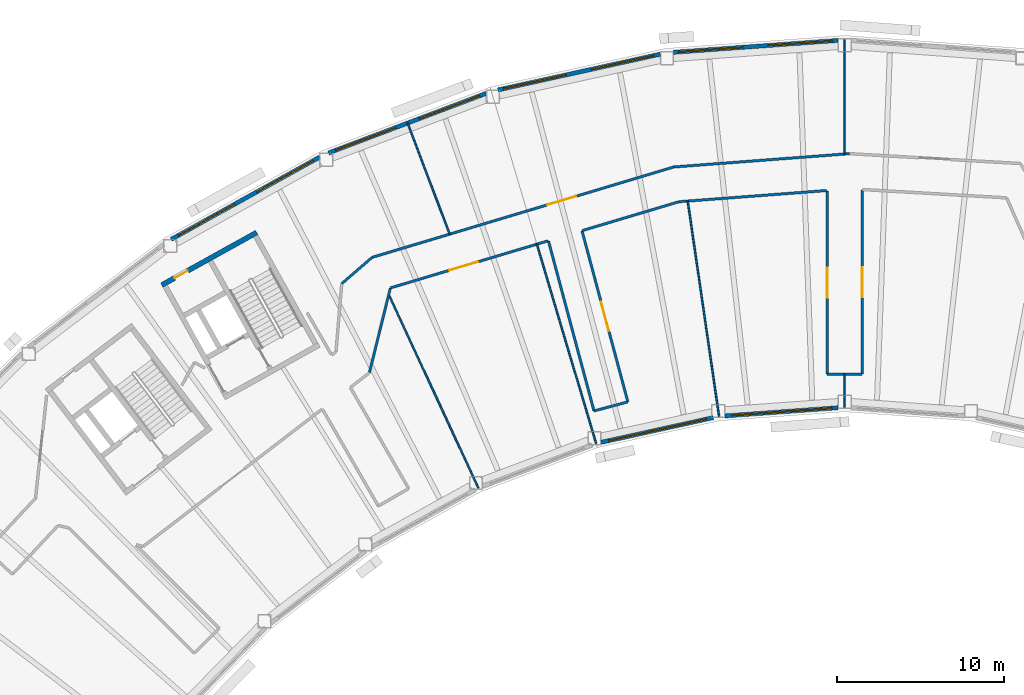
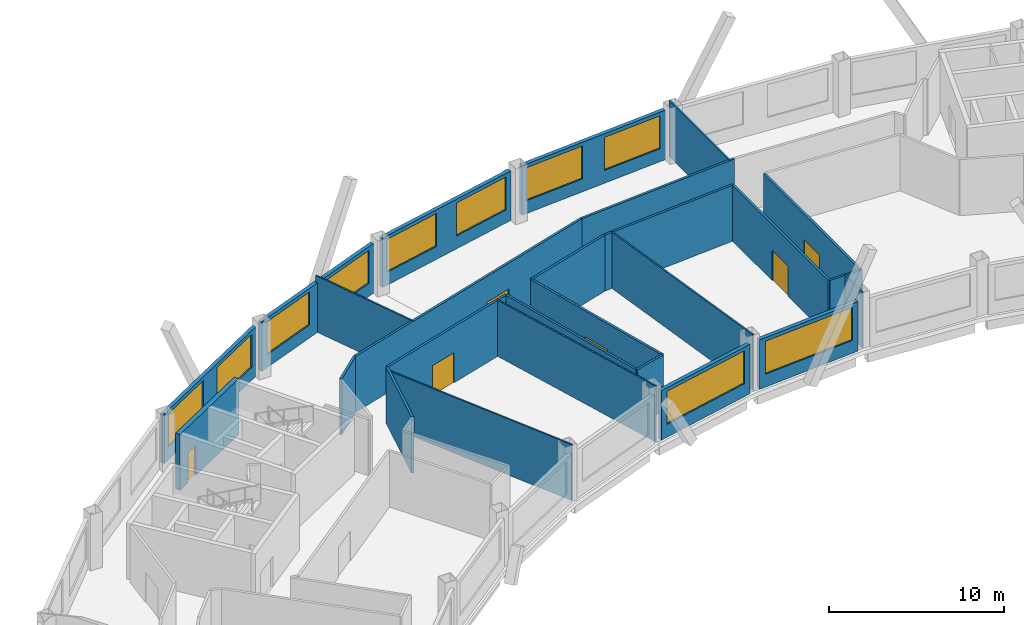
# One storey, part 6 of 13: 26 walls, 10 windows, 6 doors, 16 openings.
"""IFC4 building model written with IfcOpenShell, lengths in metres."""

from ifc_helpers import new_model, si_unit, direction, frame, frame_2d, origin, place, context, subcontext, project, spatial, rectangle, extrude, material, layer, layer_set, type_object, element, fill, save


model = new_model("IFC4")

# Units and contexts
model_context = context("Model", 3, precision=1e-05, world=origin(), true_north=direction((0.0, 1.0)))
body_context = subcontext(model_context, "Body", "Model", "MODEL_VIEW")
ifc_project = project(units=[si_unit("LENGTHUNIT", "METRE"), si_unit("AREAUNIT", "SQUARE_METRE"), si_unit("VOLUMEUNIT", "CUBIC_METRE"), si_unit("PLANEANGLEUNIT", "RADIAN"), si_unit("MASSUNIT", "GRAM", prefix="KILO")], contexts=[model_context])

# Site, building, storey
site_placement = place(None, origin())
site = spatial("IfcSite", under=ifc_project, at=site_placement, CompositionType="ELEMENT")
building_placement = place(site_placement, origin())
building = spatial("IfcBuilding", under=site, at=building_placement, Name="Tuul Gate Civic Tower", CompositionType="ELEMENT")
storey_placement = place(building_placement, frame((0.0, 0.0, 294.199951171875)))
storey = spatial("IfcBuildingStorey", under=building, at=storey_placement, Name="Level 66", CompositionType="ELEMENT", Elevation=294.199951171875)

# Wall, opening, door
ifc_material_1 = material(Name="Concrete C50/60", Category="concrete")
ifc_layer_1 = layer(ifc_material_1, 0.300048828125)
ifc_layer_set_1 = layer_set([ifc_layer_1], Name="Concrete C50/60")
wall_type_1 = type_object("IfcWallType", Name="Core wall C50/60", PredefinedType="SHEAR", material=ifc_layer_set_1)
wall_1_placement = place(storey_placement, frame((-28.4443359375, -1.98095703125, 0.0), z_axis=(0.0, 0.0, 1.0), x_axis=(-0.874629909008, -0.484791215132, 0.0)))
wall_1 = element("IfcWall", 1, at=wall_1_placement, inside=storey, type_object=wall_type_1, Name="Core wall", PredefinedType="SHEAR", context=body_context, shape_type="SweptSolid", body=[
    extrude(rectangle(XDim=6.5, YDim=0.300048828125, at=frame_2d((3.25, 0.0))), origin(), (0.0, 0.0, 1.0), 3.900146484375),
])
opening_1_placement = place(wall_1_placement, frame((4.72509765625, 0.0, 0.0)))
opening_1 = element("IfcOpeningElement", 2, at=opening_1_placement, cuts=wall_1, Name="Opening Y-D17", PredefinedType="OPENING", context=body_context, shape_type="SweptSolid", body=[
    extrude(rectangle(XDim=0.89990234375, YDim=2.10009765625, at=frame_2d((0.449951171875, 1.050048828125))), frame((0.0, 0.16015625, 0.0), z_axis=(0.0, -1.0, 0.0), x_axis=(1.0, 0.0, 0.0)), (0.0, 0.0, 1.0), 0.320068359375),
])
ifc_material_2 = material(Name="Timber door leaf", Category="wood")
door_type_1 = type_object("IfcDoorType", Name="Door D09", OperationType="NOTDEFINED", PredefinedType="DOOR", material=ifc_material_2)
door_1_placement = place(opening_1_placement, origin())
door_1 = element("IfcDoor", 3, at=door_1_placement, inside=storey, type_object=door_type_1, Name="Door Y-D17", OperationType="SINGLE_SWING_LEFT", OverallHeight=2.10009765625, OverallWidth=0.89990234375, PredefinedType="DOOR", context=body_context, shape_type="SweptSolid", body=[
    extrude(rectangle(XDim=0.89990234375, YDim=2.10009765625, at=frame_2d((0.449951171875, 1.050048828125))), frame((0.0, 0.02490234375, 0.0), z_axis=(0.0, -1.0, 0.0), x_axis=(1.0, 0.0, 0.0)), (0.0, 0.0, 1.0), 0.050048828125),
])
fill(opening_1, door_1)

# Wall
ifc_material_3 = material(Name="Gypsum board partition")
ifc_layer_2 = layer(ifc_material_3, 0.14990234375)
ifc_layer_set_2 = layer_set([ifc_layer_2], Name="Gypsum board partition")
wall_type_2 = type_object("IfcWallType", Name="Corridor wall P150", PredefinedType="PARTITIONING", material=ifc_layer_set_2)
wall_2_placement = place(storey_placement, frame((-3.451171875, 1.94580078125, 0.0), z_axis=(0.0, 0.0, 1.0), x_axis=(0.997139491246, 0.075583298406, 0.0)))
element("IfcWall", 4, at=wall_2_placement, inside=storey, type_object=wall_type_2, Name="p021", PredefinedType="PARTITIONING", context=body_context, shape_type="SweptSolid", body=[
    extrude(rectangle(XDim=10.549560546875, YDim=0.14990234375, at=frame_2d((5.27490234375, 0.0))), origin(), (0.0, 0.0, 1.0), 3.900146484375),
])

# Wall, opening, door
wall_3_placement = place(storey_placement, frame((-21.523681640625, -3.4697265625, 0.0), z_axis=(0.0, 0.0, 1.0), x_axis=(0.957914218536, 0.287054611402, 0.0)))
wall_3 = element("IfcWall", 5, at=wall_3_placement, inside=storey, type_object=wall_type_2, Name="p034", PredefinedType="PARTITIONING", context=body_context, shape_type="SweptSolid", body=[
    extrude(rectangle(XDim=18.864990234375, YDim=0.14990234375, at=frame_2d((9.4326171875, 0.0))), origin(), (0.0, 0.0, 1.0), 3.900146484375),
])
opening_2_placement = place(wall_3_placement, frame((10.95654296875, 0.0, 0.0)))
opening_2 = element("IfcOpeningElement", 6, at=opening_2_placement, cuts=wall_3, Name="Opening Y-D05", PredefinedType="OPENING", context=body_context, shape_type="SweptSolid", body=[
    extrude(rectangle(XDim=1.800048828125, YDim=2.10009765625, at=frame_2d((0.89990234375, 1.050048828125))), frame((0.0, 0.0849609375, 0.0), z_axis=(0.0, -1.0, 0.0), x_axis=(1.0, 0.0, 0.0)), (0.0, 0.0, 1.0), 0.169921875),
])
ifc_material_4 = material(Name="Timber door leaf, double", Category="wood")
door_type_2 = type_object("IfcDoorType", Name="Door D18", OperationType="DOUBLE_DOOR_SINGLE_SWING", PredefinedType="DOOR", material=ifc_material_4)
door_2_placement = place(opening_2_placement, origin())
door_2 = element("IfcDoor", 7, at=door_2_placement, inside=storey, type_object=door_type_2, Name="Door Y-D05", OperationType="DOUBLE_DOOR_SINGLE_SWING", OverallHeight=2.10009765625, OverallWidth=1.800048828125, PredefinedType="DOOR", context=body_context, shape_type="SweptSolid", body=[
    extrude(rectangle(XDim=1.800048828125, YDim=2.10009765625, at=frame_2d((0.89990234375, 1.050048828125))), frame((0.0, 0.02490234375, 0.0), z_axis=(0.0, -1.0, 0.0), x_axis=(1.0, 0.0, 0.0)), (0.0, 0.0, 1.0), 0.050048828125),
])
fill(opening_2, door_2)

# Wall
wall_4_placement = place(storey_placement, frame((-23.345947265625, -5.044189453125, 0.0), z_axis=(0.0, 0.0, 1.0), x_axis=(0.756572042285, 0.653910349232, 0.0)))
element("IfcWall", 8, at=wall_4_placement, inside=storey, type_object=wall_type_2, Name="p037", PredefinedType="PARTITIONING", context=body_context, shape_type="SweptSolid", body=[
    extrude(rectangle(XDim=2.40673828125, YDim=0.14990234375, at=frame_2d((1.203369140625, 0.0))), origin(), (0.0, 0.0, 1.0), 3.900146484375),
])

# Wall, opening, door
wall_5_placement = place(storey_placement, frame((7.838134765625, -10.469970703125, 0.0), z_axis=(0.0, 0.0, 1.0), x_axis=(0.0, 1.0, 0.0)))
wall_5 = element("IfcWall", 9, at=wall_5_placement, inside=storey, type_object=wall_type_2, Name="p061", PredefinedType="PARTITIONING", context=body_context, shape_type="SweptSolid", body=[
    extrude(rectangle(XDim=11.043701171875, YDim=0.14990234375, at=frame_2d((5.52197265625, 0.0))), origin(), (0.0, 0.0, 1.0), 3.900146484375),
])
opening_3_placement = place(wall_5_placement, frame((4.621826171875, 0.0, 0.0)))
opening_3 = element("IfcOpeningElement", 10, at=opening_3_placement, cuts=wall_5, Name="Opening Y-D09", PredefinedType="OPENING", context=body_context, shape_type="SweptSolid", body=[
    extrude(rectangle(XDim=1.800048828125, YDim=2.10009765625, at=frame_2d((0.89990234375, 1.050048828125))), frame((0.0, 0.0849609375, 0.0), z_axis=(0.0, -1.0, 0.0), x_axis=(1.0, 0.0, 0.0)), (0.0, 0.0, 1.0), 0.169921875),
])
door_3_placement = place(opening_3_placement, frame((1.800048828125, 0.0, 0.0), z_axis=(0.0, 0.0, 1.0), x_axis=(-1.0, 0.0, 0.0)))
door_3 = element("IfcDoor", 11, at=door_3_placement, inside=storey, type_object=door_type_2, Name="Door Y-D09", OperationType="DOUBLE_DOOR_SINGLE_SWING", OverallHeight=2.10009765625, OverallWidth=1.800048828125, PredefinedType="DOOR", context=body_context, shape_type="SweptSolid", body=[
    extrude(rectangle(XDim=1.800048828125, YDim=2.10009765625, at=frame_2d((0.900146484375, 1.050048828125))), frame((0.0, 0.02490234375, 0.0), z_axis=(0.0, -1.0, 0.0), x_axis=(1.0, 0.0, 0.0)), (0.0, 0.0, 1.0), 0.050048828125),
])
fill(opening_3, door_3)

# Walls
wall_6_placement = place(storey_placement, frame((5.739013671875, -10.469970703125, 0.0), z_axis=(0.0, 0.0, 1.0), x_axis=(1.0, 0.0, 0.0)))
element("IfcWall", 12, at=wall_6_placement, inside=storey, type_object=wall_type_2, Name="p066", PredefinedType="PARTITIONING", context=body_context, shape_type="SweptSolid", body=[
    extrude(rectangle(XDim=2.09912109375, YDim=0.14990234375, at=frame_2d((1.049560546875, 0.0))), origin(), (0.0, 0.0, 1.0), 3.900146484375),
])
wall_7_placement = place(storey_placement, frame((-3.13916015625, -0.136474609375, 0.0), z_axis=(0.0, 0.0, 1.0), x_axis=(0.997140365819, 0.075571759639, 0.0)))
element("IfcWall", 13, at=wall_7_placement, inside=storey, type_object=wall_type_2, Name="p068", PredefinedType="PARTITIONING", context=body_context, shape_type="SweptSolid", body=[
    extrude(rectangle(XDim=8.880859375, YDim=0.14990234375, at=frame_2d((4.4404296875, 0.0))), origin(), (0.0, 0.0, 1.0), 3.900146484375),
])

# Wall, opening, door
wall_8_placement = place(storey_placement, frame((5.73828125, -10.46923828125, 0.0), z_axis=(0.0, 0.0, 1.0), x_axis=(0.0, 1.0, 0.0)))
wall_8 = element("IfcWall", 14, at=wall_8_placement, inside=storey, type_object=wall_type_2, Name="p069", PredefinedType="PARTITIONING", context=body_context, shape_type="SweptSolid", body=[
    extrude(rectangle(XDim=10.983642578125, YDim=0.14990234375, at=frame_2d((5.49169921875, 0.0))), origin(), (0.0, 0.0, 1.0), 3.900146484375),
])
opening_4_placement = place(wall_8_placement, frame((4.591796875, 0.0, 0.0)))
opening_4 = element("IfcOpeningElement", 15, at=opening_4_placement, cuts=wall_8, Name="Opening Y-D10", PredefinedType="OPENING", context=body_context, shape_type="SweptSolid", body=[
    extrude(rectangle(XDim=1.800048828125, YDim=2.10009765625, at=frame_2d((0.89990234375, 1.050048828125))), frame((0.0, 0.0849609375, 0.0), z_axis=(0.0, -1.0, 0.0), x_axis=(1.0, 0.0, 0.0)), (0.0, 0.0, 1.0), 0.169921875),
])
door_4_placement = place(opening_4_placement, origin())
door_4 = element("IfcDoor", 16, at=door_4_placement, inside=storey, type_object=door_type_2, Name="Door Y-D10", OperationType="DOUBLE_DOOR_SINGLE_SWING", OverallHeight=2.10009765625, OverallWidth=1.800048828125, PredefinedType="DOOR", context=body_context, shape_type="SweptSolid", body=[
    extrude(rectangle(XDim=1.800048828125, YDim=2.10009765625, at=frame_2d((0.89990234375, 1.050048828125))), frame((0.0, 0.02490234375, 0.0), z_axis=(0.0, -1.0, 0.0), x_axis=(1.0, 0.0, 0.0)), (0.0, 0.0, 1.0), 0.050048828125),
])
fill(opening_4, door_4)

wall_9_placement = place(storey_placement, frame((-20.421875, -5.299072265625, 0.0), z_axis=(0.0, 0.0, 1.0), x_axis=(0.958157853162, 0.286240333329, 0.0)))
wall_9 = element("IfcWall", 17, at=wall_9_placement, inside=storey, type_object=wall_type_2, Name="p071", PredefinedType="PARTITIONING", context=body_context, shape_type="SweptSolid", body=[
    extrude(rectangle(XDim=9.850341796875, YDim=0.14990234375, at=frame_2d((4.92529296875, 0.0))), origin(), (0.0, 0.0, 1.0), 3.900146484375),
])
opening_5_placement = place(wall_9_placement, frame((3.673828125, 0.0, 0.0)))
opening_5 = element("IfcOpeningElement", 18, at=opening_5_placement, cuts=wall_9, Name="Opening Y-D12", PredefinedType="OPENING", context=body_context, shape_type="SweptSolid", body=[
    extrude(rectangle(XDim=1.800048828125, YDim=2.10009765625, at=frame_2d((0.89990234375, 1.050048828125))), frame((0.0, 0.0849609375, 0.0), z_axis=(0.0, -1.0, 0.0), x_axis=(1.0, 0.0, 0.0)), (0.0, 0.0, 1.0), 0.169921875),
])
door_5_placement = place(opening_5_placement, frame((1.800048828125, 0.0, 0.0), z_axis=(0.0, 0.0, 1.0), x_axis=(-1.0, 0.0, 0.0)))
door_5 = element("IfcDoor", 19, at=door_5_placement, inside=storey, type_object=door_type_2, Name="Door Y-D12", OperationType="DOUBLE_DOOR_SINGLE_SWING", OverallHeight=2.10009765625, OverallWidth=1.800048828125, PredefinedType="DOOR", context=body_context, shape_type="SweptSolid", body=[
    extrude(rectangle(XDim=1.800048828125, YDim=2.10009765625, at=frame_2d((0.900146484375, 1.050048828125))), frame((0.0, 0.02490234375, 0.0), z_axis=(0.0, -1.0, 0.0), x_axis=(1.0, 0.0, 0.0)), (0.0, 0.0, 1.0), 0.050048828125),
])
fill(opening_5, door_5)

# Walls
wall_10_placement = place(storey_placement, frame((-8.931396484375, -1.8662109375, 0.0), z_axis=(0.0, 0.0, 1.0), x_axis=(0.958161614647, 0.286227741871, 0.0)))
element("IfcWall", 20, at=wall_10_placement, inside=storey, type_object=wall_type_2, Name="p072", PredefinedType="PARTITIONING", context=body_context, shape_type="SweptSolid", body=[
    extrude(rectangle(XDim=6.039794921875, YDim=0.14990234375, at=frame_2d((3.02001953125, 0.0))), origin(), (0.0, 0.0, 1.0), 3.900146484375),
])
wall_11_placement = place(storey_placement, frame((-10.9580078125, -2.493896484375, 0.0), z_axis=(0.0, 0.0, 1.0), x_axis=(0.258807503709, -0.965928918722, 0.0)))
element("IfcWall", 21, at=wall_11_placement, inside=storey, type_object=wall_type_2, Name="p073", PredefinedType="PARTITIONING", context=body_context, shape_type="SweptSolid", body=[
    extrude(rectangle(XDim=10.536865234375, YDim=0.14990234375, at=frame_2d((5.2685546875, 0.0))), origin(), (0.0, 0.0, 1.0), 3.900146484375),
])
wall_12_placement = place(storey_placement, frame((-8.22998046875, -12.67236328125, 0.0), z_axis=(0.0, 0.0, 1.0), x_axis=(0.96594857071, 0.258734146846, 0.0)))
element("IfcWall", 22, at=wall_12_placement, inside=storey, type_object=wall_type_2, Name="p074", PredefinedType="PARTITIONING", context=body_context, shape_type="SweptSolid", body=[
    extrude(rectangle(XDim=2.0986328125, YDim=0.14990234375, at=frame_2d((1.04931640625, 0.0))), origin(), (0.0, 0.0, 1.0), 3.900146484375),
])

# Wall, opening, door
wall_13_placement = place(storey_placement, frame((-8.9453125, -1.891357421875, 0.0), z_axis=(0.0, 0.0, 1.0), x_axis=(0.258810929597, -0.965928000796, 0.0)))
wall_13 = element("IfcWall", 23, at=wall_13_placement, inside=storey, type_object=wall_type_2, Name="p075", PredefinedType="PARTITIONING", context=body_context, shape_type="SweptSolid", body=[
    extrude(rectangle(XDim=10.59814453125, YDim=0.14990234375, at=frame_2d((5.299072265625, 0.0))), origin(), (0.0, 0.0, 1.0), 3.900146484375),
])
opening_6_placement = place(wall_13_placement, frame((4.399169921875, 0.0, 0.0)))
opening_6 = element("IfcOpeningElement", 24, at=opening_6_placement, cuts=wall_13, Name="Opening Y-D11", PredefinedType="OPENING", context=body_context, shape_type="SweptSolid", body=[
    extrude(rectangle(XDim=1.800048828125, YDim=2.10009765625, at=frame_2d((0.89990234375, 1.050048828125))), frame((0.0, 0.0849609375, 0.0), z_axis=(0.0, -1.0, 0.0), x_axis=(1.0, 0.0, 0.0)), (0.0, 0.0, 1.0), 0.169921875),
])
door_6_placement = place(opening_6_placement, origin())
door_6 = element("IfcDoor", 25, at=door_6_placement, inside=storey, type_object=door_type_2, Name="Door Y-D11", OperationType="DOUBLE_DOOR_SINGLE_SWING", OverallHeight=2.10009765625, OverallWidth=1.800048828125, PredefinedType="DOOR", context=body_context, shape_type="SweptSolid", body=[
    extrude(rectangle(XDim=1.800048828125, YDim=2.10009765625, at=frame_2d((0.89990234375, 1.050048828125))), frame((0.0, 0.02490234375, 0.0), z_axis=(0.0, -1.0, 0.0), x_axis=(1.0, 0.0, 0.0)), (0.0, 0.0, 1.0), 0.050048828125),
])
fill(opening_6, door_6)

# Wall
wall_14_placement = place(storey_placement, frame((-21.690185546875, -10.388916015625, 0.0), z_axis=(0.0, 0.0, 1.0), x_axis=(0.239908432777, 0.970795521149, 0.0)))
element("IfcWall", 26, at=wall_14_placement, inside=storey, type_object=wall_type_2, Name="p077", PredefinedType="PARTITIONING", context=body_context, shape_type="SweptSolid", body=[
    extrude(rectangle(XDim=5.2275390625, YDim=0.14990234375, at=frame_2d((2.61376953125, 0.0))), origin(), (0.0, 0.0, 1.0), 3.900146484375),
])

# Wall, openings, windows
ifc_material_5 = material(Name="Precast concrete C40/50", Category="concrete")
ifc_layer_3 = layer(ifc_material_5, 0.25)
ifc_layer_set_3 = layer_set([ifc_layer_3], Name="Precast concrete C40/50")
wall_type_3 = type_object("IfcWallType", Name="External wall", PredefinedType="STANDARD", material=ifc_layer_set_3)
wall_15_placement = place(storey_placement, frame((6.387939453125, 9.52880859375, 0.0), z_axis=(0.0, 0.0, 1.0), x_axis=(-0.997387042659, -0.072243249762, 0.0)))
wall_15 = element("IfcWall", 27, at=wall_15_placement, inside=storey, type_object=wall_type_3, Name="External wall", PredefinedType="STANDARD", context=body_context, shape_type="SweptSolid", body=[
    extrude(rectangle(XDim=9.874755859375, YDim=0.25, at=frame_2d((4.9375, 0.0))), origin(), (0.0, 0.0, 1.0), 3.449951171875),
])
opening_7_placement = place(wall_15_placement, frame((0.350341796875, 0.0, 0.89990234375)))
opening_7 = element("IfcOpeningElement", 28, at=opening_7_placement, cuts=wall_15, Name="Opening W22", PredefinedType="OPENING", context=body_context, shape_type="SweptSolid", body=[
    extrude(rectangle(XDim=3.85009765625, YDim=2.300048828125, at=frame_2d((1.925048828125, 1.14990234375))), frame((0.0, 0.135009765625, 0.0), z_axis=(0.0, -1.0, 0.0), x_axis=(1.0, 0.0, 0.0)), (0.0, 0.0, 1.0), 0.27001953125),
])
opening_8_placement = place(wall_15_placement, frame((5.721435546875, 0.0, 0.89990234375)))
opening_8 = element("IfcOpeningElement", 29, at=opening_8_placement, cuts=wall_15, Name="Opening W22", PredefinedType="OPENING", context=body_context, shape_type="SweptSolid", body=[
    extrude(rectangle(XDim=3.85009765625, YDim=2.300048828125, at=frame_2d((1.925048828125, 1.14990234375))), frame((0.0, 0.135009765625, 0.0), z_axis=(0.0, -1.0, 0.0), x_axis=(1.0, 0.0, 0.0)), (0.0, 0.0, 1.0), 0.27001953125),
])
ifc_material_6 = material(Name="Glass", Category="glass")
window_type_1 = type_object("IfcWindowType", Name="Window W22 3850 x 2300", PartitioningType="SINGLE_PANEL", PredefinedType="WINDOW", material=ifc_material_6)
window_1_placement = place(opening_7_placement, origin())
window_1 = element("IfcWindow", 30, at=window_1_placement, inside=storey, type_object=window_type_1, Name="Window", OverallHeight=2.300048828125, OverallWidth=3.85009765625, PartitioningType="SINGLE_PANEL", PredefinedType="WINDOW", context=body_context, shape_type="SweptSolid", body=[
    extrude(rectangle(XDim=3.85009765625, YDim=2.300048828125, at=frame_2d((1.925048828125, 1.14990234375))), frame((0.0, 0.030029296875, 0.0), z_axis=(0.0, -1.0, 0.0), x_axis=(1.0, 0.0, 0.0)), (0.0, 0.0, 1.0), 0.06005859375),
])
fill(opening_7, window_1)
window_2_placement = place(opening_8_placement, origin())
window_2 = element("IfcWindow", 31, at=window_2_placement, inside=storey, type_object=window_type_1, Name="Window", OverallHeight=2.300048828125, OverallWidth=3.85009765625, PartitioningType="SINGLE_PANEL", PredefinedType="WINDOW", context=body_context, shape_type="SweptSolid", body=[
    extrude(rectangle(XDim=3.85009765625, YDim=2.300048828125, at=frame_2d((1.925048828125, 1.14990234375))), frame((0.0, 0.030029296875, 0.0), z_axis=(0.0, -1.0, 0.0), x_axis=(1.0, 0.0, 0.0)), (0.0, 0.0, 1.0), 0.06005859375),
])
fill(opening_8, window_2)

wall_16_placement = place(storey_placement, frame((-4.260986328125, 8.705078125, 0.0), z_axis=(0.0, 0.0, 1.0), x_axis=(-0.976568573814, -0.215206460496, 0.0)))
wall_16 = element("IfcWall", 32, at=wall_16_placement, inside=storey, type_object=wall_type_3, Name="External wall", PredefinedType="STANDARD", context=body_context, shape_type="SweptSolid", body=[
    extrude(rectangle(XDim=9.958251953125, YDim=0.25, at=frame_2d((4.97900390625, 0.0))), origin(), (0.0, 0.0, 1.0), 3.449951171875),
])
opening_9_placement = place(wall_16_placement, frame((0.39013671875, 0.0, 0.89990234375)))
opening_9 = element("IfcOpeningElement", 33, at=opening_9_placement, cuts=wall_16, Name="Opening W22", PredefinedType="OPENING", context=body_context, shape_type="SweptSolid", body=[
    extrude(rectangle(XDim=3.85009765625, YDim=2.300048828125, at=frame_2d((1.925048828125, 1.14990234375))), frame((0.0, 0.135009765625, 0.0), z_axis=(0.0, -1.0, 0.0), x_axis=(1.0, 0.0, 0.0)), (0.0, 0.0, 1.0), 0.27001953125),
])
opening_10_placement = place(wall_16_placement, frame((5.761474609375, 0.0, 0.89990234375)))
opening_10 = element("IfcOpeningElement", 34, at=opening_10_placement, cuts=wall_16, Name="Opening W22", PredefinedType="OPENING", context=body_context, shape_type="SweptSolid", body=[
    extrude(rectangle(XDim=3.85009765625, YDim=2.300048828125, at=frame_2d((1.925048828125, 1.14990234375))), frame((0.0, 0.135009765625, 0.0), z_axis=(0.0, -1.0, 0.0), x_axis=(1.0, 0.0, 0.0)), (0.0, 0.0, 1.0), 0.27001953125),
])
window_3_placement = place(opening_9_placement, origin())
window_3 = element("IfcWindow", 35, at=window_3_placement, inside=storey, type_object=window_type_1, Name="Window", OverallHeight=2.300048828125, OverallWidth=3.85009765625, PartitioningType="SINGLE_PANEL", PredefinedType="WINDOW", context=body_context, shape_type="SweptSolid", body=[
    extrude(rectangle(XDim=3.85009765625, YDim=2.300048828125, at=frame_2d((1.925048828125, 1.14990234375))), frame((0.0, 0.030029296875, 0.0), z_axis=(0.0, -1.0, 0.0), x_axis=(1.0, 0.0, 0.0)), (0.0, 0.0, 1.0), 0.06005859375),
])
fill(opening_9, window_3)
window_4_placement = place(opening_10_placement, origin())
window_4 = element("IfcWindow", 36, at=window_4_placement, inside=storey, type_object=window_type_1, Name="Window", OverallHeight=2.300048828125, OverallWidth=3.85009765625, PartitioningType="SINGLE_PANEL", PredefinedType="WINDOW", context=body_context, shape_type="SweptSolid", body=[
    extrude(rectangle(XDim=3.85009765625, YDim=2.300048828125, at=frame_2d((1.925048828125, 1.14990234375))), frame((0.0, 0.030029296875, 0.0), z_axis=(0.0, -1.0, 0.0), x_axis=(1.0, 0.0, 0.0)), (0.0, 0.0, 1.0), 0.06005859375),
])
fill(opening_10, window_4)

wall_17_placement = place(storey_placement, frame((-14.68798828125, 6.35888671875, 0.0), z_axis=(0.0, 0.0, 1.0), x_axis=(-0.9353443931, -0.353738415071, 0.0)))
wall_17 = element("IfcWall", 37, at=wall_17_placement, inside=storey, type_object=wall_type_3, Name="External wall", PredefinedType="STANDARD", context=body_context, shape_type="SweptSolid", body=[
    extrude(rectangle(XDim=10.103515625, YDim=0.25, at=frame_2d((5.0517578125, 0.0))), origin(), (0.0, 0.0, 1.0), 3.449951171875),
])
opening_11_placement = place(wall_17_placement, frame((0.423583984375, 0.0, 0.89990234375)))
opening_11 = element("IfcOpeningElement", 38, at=opening_11_placement, cuts=wall_17, Name="Opening W22", PredefinedType="OPENING", context=body_context, shape_type="SweptSolid", body=[
    extrude(rectangle(XDim=3.85009765625, YDim=2.300048828125, at=frame_2d((1.925048828125, 1.14990234375))), frame((0.0, 0.135009765625, 0.0), z_axis=(0.0, -1.0, 0.0), x_axis=(1.0, 0.0, 0.0)), (0.0, 0.0, 1.0), 0.27001953125),
])
opening_12_placement = place(wall_17_placement, frame((5.794921875, 0.0, 0.89990234375)))
opening_12 = element("IfcOpeningElement", 39, at=opening_12_placement, cuts=wall_17, Name="Opening W22", PredefinedType="OPENING", context=body_context, shape_type="SweptSolid", body=[
    extrude(rectangle(XDim=3.85009765625, YDim=2.300048828125, at=frame_2d((1.925048828125, 1.14990234375))), frame((0.0, 0.135009765625, 0.0), z_axis=(0.0, -1.0, 0.0), x_axis=(1.0, 0.0, 0.0)), (0.0, 0.0, 1.0), 0.27001953125),
])
window_5_placement = place(opening_11_placement, origin())
window_5 = element("IfcWindow", 40, at=window_5_placement, inside=storey, type_object=window_type_1, Name="Window", OverallHeight=2.300048828125, OverallWidth=3.85009765625, PartitioningType="SINGLE_PANEL", PredefinedType="WINDOW", context=body_context, shape_type="SweptSolid", body=[
    extrude(rectangle(XDim=3.85009765625, YDim=2.300048828125, at=frame_2d((1.925048828125, 1.14990234375))), frame((0.0, 0.030029296875, 0.0), z_axis=(0.0, -1.0, 0.0), x_axis=(1.0, 0.0, 0.0)), (0.0, 0.0, 1.0), 0.06005859375),
])
fill(opening_11, window_5)
window_6_placement = place(opening_12_placement, origin())
window_6 = element("IfcWindow", 41, at=window_6_placement, inside=storey, type_object=window_type_1, Name="Window", OverallHeight=2.300048828125, OverallWidth=3.85009765625, PartitioningType="SINGLE_PANEL", PredefinedType="WINDOW", context=body_context, shape_type="SweptSolid", body=[
    extrude(rectangle(XDim=3.85009765625, YDim=2.300048828125, at=frame_2d((1.925048828125, 1.14990234375))), frame((0.0, 0.030029296875, 0.0), z_axis=(0.0, -1.0, 0.0), x_axis=(1.0, 0.0, 0.0)), (0.0, 0.0, 1.0), 0.06005859375),
])
fill(opening_12, window_6)

wall_18_placement = place(storey_placement, frame((-24.676025390625, 2.53515625, 0.0), z_axis=(0.0, 0.0, 1.0), x_axis=(-0.874624927255, -0.484800202789, 0.0)))
wall_18 = element("IfcWall", 42, at=wall_18_placement, inside=storey, type_object=wall_type_3, Name="External wall", PredefinedType="STANDARD", context=body_context, shape_type="SweptSolid", body=[
    extrude(rectangle(XDim=10.161376953125, YDim=0.25, at=frame_2d((5.08056640625, 0.0))), origin(), (0.0, 0.0, 1.0), 3.449951171875),
])
opening_13_placement = place(wall_18_placement, frame((0.4501953125, 0.0, 0.89990234375)))
opening_13 = element("IfcOpeningElement", 43, at=opening_13_placement, cuts=wall_18, Name="Opening W22", PredefinedType="OPENING", context=body_context, shape_type="SweptSolid", body=[
    extrude(rectangle(XDim=3.85009765625, YDim=2.300048828125, at=frame_2d((1.925048828125, 1.14990234375))), frame((0.0, 0.135009765625, 0.0), z_axis=(0.0, -1.0, 0.0), x_axis=(1.0, 0.0, 0.0)), (0.0, 0.0, 1.0), 0.27001953125),
])
opening_14_placement = place(wall_18_placement, frame((5.821533203125, 0.0, 0.89990234375)))
opening_14 = element("IfcOpeningElement", 44, at=opening_14_placement, cuts=wall_18, Name="Opening W22", PredefinedType="OPENING", context=body_context, shape_type="SweptSolid", body=[
    extrude(rectangle(XDim=3.85009765625, YDim=2.300048828125, at=frame_2d((1.925048828125, 1.14990234375))), frame((0.0, 0.135009765625, 0.0), z_axis=(0.0, -1.0, 0.0), x_axis=(1.0, 0.0, 0.0)), (0.0, 0.0, 1.0), 0.27001953125),
])
window_7_placement = place(opening_13_placement, origin())
window_7 = element("IfcWindow", 45, at=window_7_placement, inside=storey, type_object=window_type_1, Name="Window", OverallHeight=2.300048828125, OverallWidth=3.85009765625, PartitioningType="SINGLE_PANEL", PredefinedType="WINDOW", context=body_context, shape_type="SweptSolid", body=[
    extrude(rectangle(XDim=3.85009765625, YDim=2.300048828125, at=frame_2d((1.925048828125, 1.14990234375))), frame((0.0, 0.030029296875, 0.0), z_axis=(0.0, -1.0, 0.0), x_axis=(1.0, 0.0, 0.0)), (0.0, 0.0, 1.0), 0.06005859375),
])
fill(opening_13, window_7)
window_8_placement = place(opening_14_placement, origin())
window_8 = element("IfcWindow", 46, at=window_8_placement, inside=storey, type_object=window_type_1, Name="Window", OverallHeight=2.300048828125, OverallWidth=3.85009765625, PartitioningType="SINGLE_PANEL", PredefinedType="WINDOW", context=body_context, shape_type="SweptSolid", body=[
    extrude(rectangle(XDim=3.85009765625, YDim=2.300048828125, at=frame_2d((1.925048828125, 1.14990234375))), frame((0.0, 0.030029296875, 0.0), z_axis=(0.0, -1.0, 0.0), x_axis=(1.0, 0.0, 0.0)), (0.0, 0.0, 1.0), 0.06005859375),
])
fill(opening_14, window_8)

# Wall, opening, window
wall_19_placement = place(storey_placement, frame((-7.798095703125, -14.55126953125, 0.0), z_axis=(0.0, 0.0, 1.0), x_axis=(0.976561146318, 0.215240162382, 0.0)))
wall_19 = element("IfcWall", 47, at=wall_19_placement, inside=storey, type_object=wall_type_3, Name="External wall", PredefinedType="STANDARD", context=body_context, shape_type="SweptSolid", body=[
    extrude(rectangle(XDim=6.867919921875, YDim=0.25, at=frame_2d((3.43408203125, 0.0))), origin(), (0.0, 0.0, 1.0), 3.449951171875),
])
opening_15_placement = place(wall_19_placement, frame((0.458251953125, 0.0, 0.89990234375)))
opening_15 = element("IfcOpeningElement", 48, at=opening_15_placement, cuts=wall_19, Name="Opening W26", PredefinedType="OPENING", context=body_context, shape_type="SweptSolid", body=[
    extrude(rectangle(XDim=6.0, YDim=2.300048828125, at=frame_2d((3.0, 1.14990234375))), frame((0.0, 0.135009765625, 0.0), z_axis=(0.0, -1.0, 0.0), x_axis=(1.0, 0.0, 0.0)), (0.0, 0.0, 1.0), 0.27001953125),
])
ifc_material_7 = material(Name="Glass", Category="glass")
window_type_2 = type_object("IfcWindowType", Name="Window W26 6000 x 2300", PartitioningType="SINGLE_PANEL", PredefinedType="WINDOW", material=ifc_material_7)
window_9_placement = place(opening_15_placement, origin())
window_9 = element("IfcWindow", 49, at=window_9_placement, inside=storey, type_object=window_type_2, Name="Window", OverallHeight=2.300048828125, OverallWidth=6.0, PartitioningType="SINGLE_PANEL", PredefinedType="WINDOW", context=body_context, shape_type="SweptSolid", body=[
    extrude(rectangle(XDim=6.0, YDim=2.300048828125, at=frame_2d((3.0, 1.14990234375))), frame((0.0, 0.030029296875, 0.0), z_axis=(0.0, -1.0, 0.0), x_axis=(1.0, 0.0, 0.0)), (0.0, 0.0, 1.0), 0.06005859375),
])
fill(opening_15, window_9)

wall_20_placement = place(storey_placement, frame((-0.384033203125, -12.969482421875, 0.0), z_axis=(0.0, 0.0, 1.0), x_axis=(0.997384795983, 0.072274260578, 0.0)))
wall_20 = element("IfcWall", 50, at=wall_20_placement, inside=storey, type_object=wall_type_3, Name="External wall", PredefinedType="STANDARD", context=body_context, shape_type="SweptSolid", body=[
    extrude(rectangle(XDim=6.789794921875, YDim=0.25, at=frame_2d((3.39501953125, 0.0))), origin(), (0.0, 0.0, 1.0), 3.449951171875),
])
opening_16_placement = place(wall_20_placement, frame((0.41845703125, 0.0, 0.89990234375)))
opening_16 = element("IfcOpeningElement", 51, at=opening_16_placement, cuts=wall_20, Name="Opening W26", PredefinedType="OPENING", context=body_context, shape_type="SweptSolid", body=[
    extrude(rectangle(XDim=6.0, YDim=2.300048828125, at=frame_2d((3.0, 1.14990234375))), frame((0.0, 0.135009765625, 0.0), z_axis=(0.0, -1.0, 0.0), x_axis=(1.0, 0.0, 0.0)), (0.0, 0.0, 1.0), 0.27001953125),
])
window_10_placement = place(opening_16_placement, origin())
window_10 = element("IfcWindow", 52, at=window_10_placement, inside=storey, type_object=window_type_2, Name="Window", OverallHeight=2.300048828125, OverallWidth=6.0, PartitioningType="SINGLE_PANEL", PredefinedType="WINDOW", context=body_context, shape_type="SweptSolid", body=[
    extrude(rectangle(XDim=6.0, YDim=2.300048828125, at=frame_2d((3.0, 1.14990234375))), frame((0.0, 0.030029296875, 0.0), z_axis=(0.0, -1.0, 0.0), x_axis=(1.0, 0.0, 0.0)), (0.0, 0.0, 1.0), 0.06005859375),
])
fill(opening_16, window_10)

# Walls
ifc_material_8 = material(Name="Gypsum board partition")
ifc_layer_4 = layer(ifc_material_8, 0.10009765625)
ifc_layer_set_4 = layer_set([ifc_layer_4], Name="Gypsum board partition")
wall_type_4 = type_object("IfcWallType", Name="Partition P100", PredefinedType="PARTITIONING", material=ifc_layer_set_4)
wall_21_placement = place(storey_placement, frame((6.7880859375, -12.45458984375, 0.0), z_axis=(0.0, 0.0, 1.0), x_axis=(0.0, 1.0, 0.0)))
element("IfcWall", 53, at=wall_21_placement, inside=storey, type_object=wall_type_4, Name="p019", PredefinedType="PARTITIONING", context=body_context, shape_type="SweptSolid", body=[
    extrude(rectangle(XDim=1.984619140625, YDim=0.10009765625, at=frame_2d((0.9921875, 0.0))), origin(), (0.0, 0.0, 1.0), 3.900146484375),
])
wall_22_placement = place(storey_placement, frame((6.7880859375, 2.721923828125, 0.0), z_axis=(0.0, 0.0, 1.0), x_axis=(0.0, 1.0, 0.0)))
element("IfcWall", 54, at=wall_22_placement, inside=storey, type_object=wall_type_4, Name="p020", PredefinedType="PARTITIONING", context=body_context, shape_type="SweptSolid", body=[
    extrude(rectangle(XDim=6.8408203125, YDim=0.10009765625, at=frame_2d((3.42041015625, 0.0))), origin(), (0.0, 0.0, 1.0), 3.900146484375),
])
wall_23_placement = place(storey_placement, frame((-19.398681640625, 4.582763671875, 0.0), z_axis=(0.0, 0.0, 1.0), x_axis=(0.35370323502, -0.935357697107, 0.0)))
element("IfcWall", 55, at=wall_23_placement, inside=storey, type_object=wall_type_4, Name="p033", PredefinedType="PARTITIONING", context=body_context, shape_type="SweptSolid", body=[
    extrude(rectangle(XDim=7.121337890625, YDim=0.10009765625, at=frame_2d((3.560546875, 0.0))), origin(), (0.0, 0.0, 1.0), 3.900146484375),
])
wall_24_placement = place(storey_placement, frame((-2.614990234375, -0.0966796875, 0.0), z_axis=(0.0, 0.0, 1.0), x_axis=(0.144094527883, -0.989563927715, 0.0)))
element("IfcWall", 56, at=wall_24_placement, inside=storey, type_object=wall_type_4, Name="p067", PredefinedType="PARTITIONING", context=body_context, shape_type="SweptSolid", body=[
    extrude(rectangle(XDim=13.039306640625, YDim=0.10009765625, at=frame_2d((6.51953125, 0.0))), origin(), (0.0, 0.0, 1.0), 3.900146484375),
])
wall_25_placement = place(storey_placement, frame((-11.656982421875, -2.6806640625, 0.0), z_axis=(0.0, 0.0, 1.0), x_axis=(0.285195526972, -0.958469358611, 0.0)))
element("IfcWall", 57, at=wall_25_placement, inside=storey, type_object=wall_type_4, Name="p070", PredefinedType="PARTITIONING", context=body_context, shape_type="SweptSolid", body=[
    extrude(rectangle(XDim=12.460693359375, YDim=0.10009765625, at=frame_2d((6.23046875, 0.0))), origin(), (0.0, 0.0, 1.0), 3.900146484375),
])
wall_26_placement = place(storey_placement, frame((-20.531005859375, -5.697509765625, 0.0), z_axis=(0.0, 0.0, 1.0), x_axis=(0.420373545451, -0.907351135055, 0.0)))
element("IfcWall", 58, at=wall_26_placement, inside=storey, type_object=wall_type_4, Name="p076", PredefinedType="PARTITIONING", context=body_context, shape_type="SweptSolid", body=[
    extrude(rectangle(XDim=12.778076171875, YDim=0.10009765625, at=frame_2d((6.38916015625, 0.0))), origin(), (0.0, 0.0, 1.0), 3.900146484375),
])

save(model, "model.ifc")
